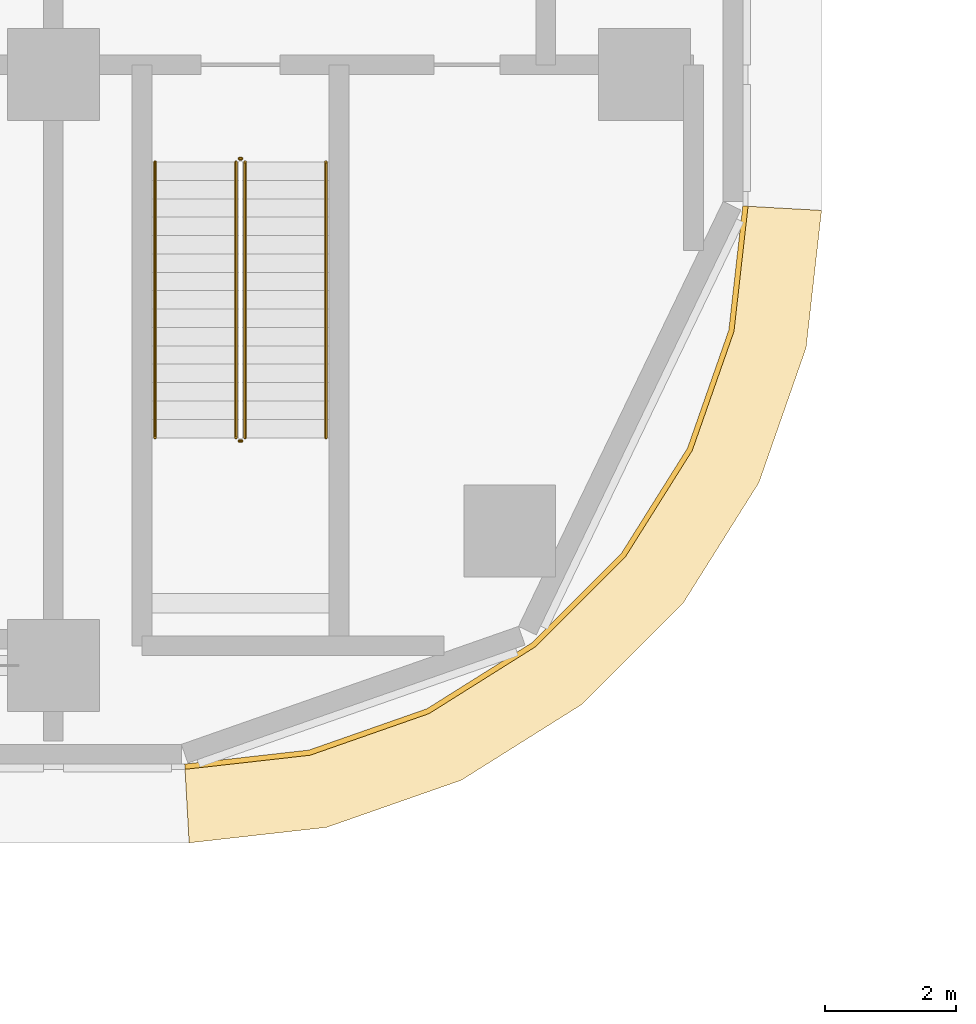
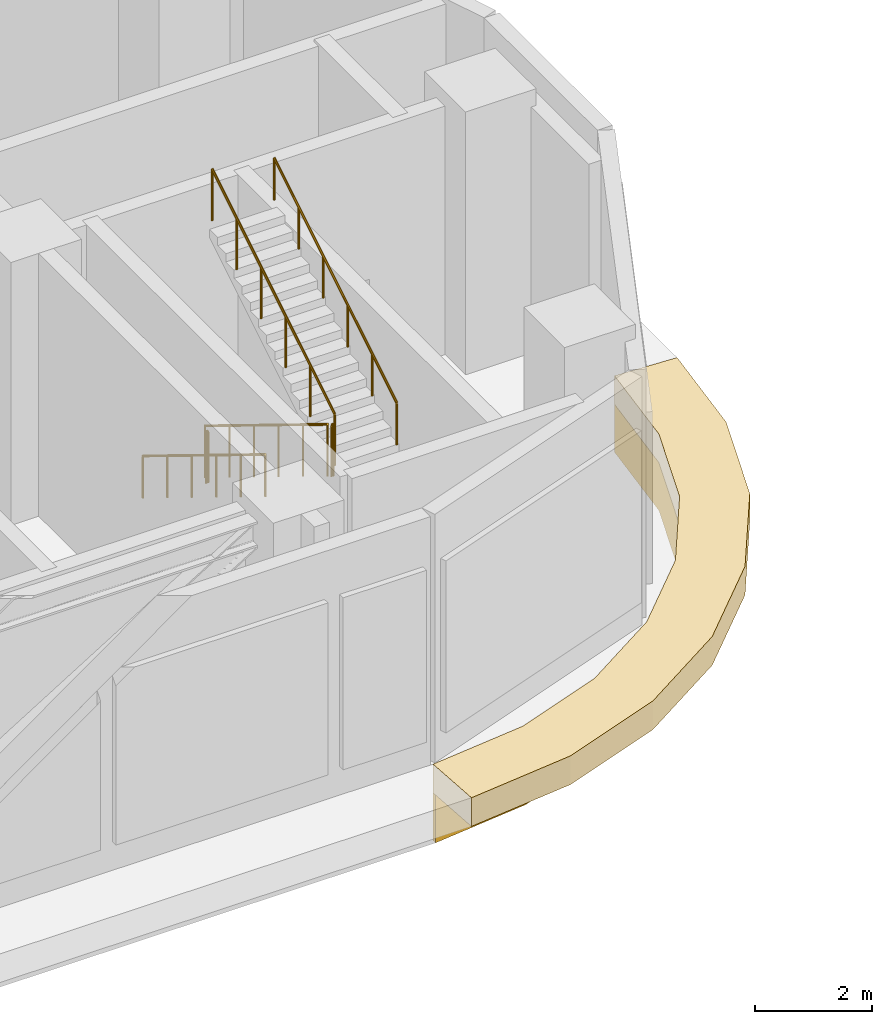
# One storey, part 18 of 23: 6 railings, 2 coverings.
"""IFC4 building model written with IfcOpenShell, lengths in metres."""

from ifc_helpers import new_model, si_unit, direction, frame, origin, origin_2d, place, context, subcontext, project, spatial, polyline, circle, outline, extrude, material, layer, layer_set, type_object, element, save


model = new_model("IFC4")

# Units and contexts
model_context = context("Model", 3, precision=1e-05, world=origin(), true_north=direction((0.0, 1.0)))
body_context = subcontext(model_context, "Body", "Model", "MODEL_VIEW")
ifc_project = project(units=[si_unit("LENGTHUNIT", "METRE"), si_unit("AREAUNIT", "SQUARE_METRE"), si_unit("VOLUMEUNIT", "CUBIC_METRE"), si_unit("PLANEANGLEUNIT", "RADIAN"), si_unit("MASSUNIT", "GRAM", prefix="KILO")], contexts=[model_context])

# Site, building, storey
site_placement = place(None, origin())
site = spatial("IfcSite", under=ifc_project, at=site_placement, CompositionType="ELEMENT")
building_placement = place(site_placement, origin())
building = spatial("IfcBuilding", under=site, at=building_placement, Name="Ogive Portal Towers", CompositionType="ELEMENT")
storey_placement = place(building_placement, frame((0.0, 0.0, 81.60009765625)))
storey = spatial("IfcBuildingStorey", under=building, at=storey_placement, Name="L19", CompositionType="ELEMENT", Elevation=81.60009765625)

# Railings
ifc_material_1 = material(Name="Stainless steel balustrade", Category="steel")
railing_type_1 = type_object("IfcRailingType", Name="INT-GUARD", PredefinedType="GUARDRAIL", material=ifc_material_1)
railing_1_placement = place(storey_placement, frame((88.280029296875, 29.169921875, 0.171875)))
element("IfcRailing", 1, at=railing_1_placement, inside=storey, type_object=railing_type_1, Name="L19 ST-A4 stair guard 1", PredefinedType="GUARDRAIL", context=body_context, shape_type="SweptSolid", body=[
    extrude(circle(Radius=0.02392578125, at=origin_2d()), frame((0.0, 0.0, 1.076171875), z_axis=(0.0, -0.852242915053, 0.523146264196), x_axis=(1.0, 0.0, 0.0)), (0.0, 0.0, 1.0), 4.92822265625),
    extrude(circle(Radius=0.02099609375, at=origin_2d()), origin(), (0.0, 0.0, 1.0), 1.052001953125),
    extrude(circle(Radius=0.02099609375, at=origin_2d()), frame((0.0, -0.840087890625, 0.515625)), (0.0, 0.0, 1.0), 1.052001953125),
    extrude(circle(Radius=0.02099609375, at=origin_2d()), frame((0.0, -1.679931640625, 1.03125)), (0.0, 0.0, 1.0), 1.052001953125),
    extrude(circle(Radius=0.02099609375, at=origin_2d()), frame((0.0, -2.52001953125, 1.546875)), (0.0, 0.0, 1.0), 1.052001953125),
    extrude(circle(Radius=0.02099609375, at=origin_2d()), frame((0.0, -3.35986328125, 2.0625)), (0.0, 0.0, 1.0), 1.052001953125),
    extrude(circle(Radius=0.02099609375, at=origin_2d()), frame((0.0, -4.199951171875, 2.578125)), (0.0, 0.0, 1.0), 1.052001953125),
])
railing_2_placement = place(storey_placement, frame((88.330078125, 24.919921875, 2.75)))
element("IfcRailing", 2, at=railing_2_placement, inside=storey, type_object=railing_type_1, Name="L19 ST-A4 stair guard 2", PredefinedType="GUARDRAIL", context=body_context, shape_type="SweptSolid", body=[
    extrude(circle(Radius=0.02392578125, at=origin_2d()), frame((0.0, 0.0, 1.076171875), z_axis=(1.0, 0.0, 0.0), x_axis=(0.0, 1.0, 0.0)), (0.0, 0.0, 1.0), 0.0400390625),
    extrude(circle(Radius=0.02099609375, at=origin_2d()), origin(), (0.0, 0.0, 1.0), 1.052001953125),
    extrude(circle(Radius=0.02099609375, at=origin_2d()), frame((0.0400390625, 0.0, 0.0)), (0.0, 0.0, 1.0), 1.052001953125),
])
railing_3_placement = place(storey_placement, frame((88.419921875, 24.969970703125, 2.921875)))
element("IfcRailing", 3, at=railing_3_placement, inside=storey, type_object=railing_type_1, Name="L19 ST-A4 stair guard 3", PredefinedType="GUARDRAIL", context=body_context, shape_type="SweptSolid", body=[
    extrude(circle(Radius=0.02392578125, at=origin_2d()), frame((0.0, 0.0, 1.076171875), z_axis=(0.0, 0.852242915053, 0.523146264196), x_axis=(-1.0, 0.0, 0.0)), (0.0, 0.0, 1.0), 4.92822265625),
    extrude(circle(Radius=0.02099609375, at=origin_2d()), origin(), (0.0, 0.0, 1.0), 1.052001953125),
    extrude(circle(Radius=0.02099609375, at=origin_2d()), frame((0.0, 0.840087890625, 0.515625)), (0.0, 0.0, 1.0), 1.052001953125),
    extrude(circle(Radius=0.02099609375, at=origin_2d()), frame((0.0, 1.679931640625, 1.03125)), (0.0, 0.0, 1.0), 1.052001953125),
    extrude(circle(Radius=0.02099609375, at=origin_2d()), frame((0.0, 2.52001953125, 1.546875)), (0.0, 0.0, 1.0), 1.052001953125),
    extrude(circle(Radius=0.02099609375, at=origin_2d()), frame((0.0, 3.35986328125, 2.0625)), (0.0, 0.0, 1.0), 1.052001953125),
    extrude(circle(Radius=0.02099609375, at=origin_2d()), frame((0.0, 4.199951171875, 2.578125)), (0.0, 0.0, 1.0), 1.052001953125),
])
railing_4_placement = place(storey_placement, frame((88.330078125, 29.219970703125, 0.0)))
element("IfcRailing", 4, at=railing_4_placement, inside=storey, type_object=railing_type_1, Name="L19 ST-A4 stair guard 4", PredefinedType="GUARDRAIL", context=body_context, shape_type="SweptSolid", body=[
    extrude(circle(Radius=0.02392578125, at=origin_2d()), frame((0.0, 0.0, 1.076171875), z_axis=(1.0, 0.0, 0.0), x_axis=(0.0, 1.0, 0.0)), (0.0, 0.0, 1.0), 0.0400390625),
    extrude(circle(Radius=0.02099609375, at=origin_2d()), origin(), (0.0, 0.0, 1.0), 1.052001953125),
    extrude(circle(Radius=0.02099609375, at=origin_2d()), frame((0.0400390625, 0.0, 0.0)), (0.0, 0.0, 1.0), 1.052001953125),
])
ifc_material_2 = material(Name="Stainless steel handrail", Category="steel")
railing_type_2 = type_object("IfcRailingType", Name="INT-HANDRAIL", PredefinedType="HANDRAIL", material=ifc_material_2)
railing_5_placement = place(storey_placement, frame((87.050048828125, 29.169921875, 0.171875)))
element("IfcRailing", 5, at=railing_5_placement, inside=storey, type_object=railing_type_2, Name="L19 ST-A4 stair handrail 1", PredefinedType="HANDRAIL", context=body_context, shape_type="SweptSolid", body=[
    extrude(circle(Radius=0.02392578125, at=origin_2d()), frame((0.0, 0.0, 0.8759765625), z_axis=(0.0, -0.852242915053, 0.523146264196), x_axis=(1.0, 0.0, 0.0)), (0.0, 0.0, 1.0), 4.92822265625),
    extrude(circle(Radius=0.02099609375, at=origin_2d()), origin(), (0.0, 0.0, 1.0), 0.851806640625),
    extrude(circle(Radius=0.02099609375, at=origin_2d()), frame((0.0, -0.840087890625, 0.515625)), (0.0, 0.0, 1.0), 0.851806640625),
    extrude(circle(Radius=0.02099609375, at=origin_2d()), frame((0.0, -1.679931640625, 1.03125)), (0.0, 0.0, 1.0), 0.851806640625),
    extrude(circle(Radius=0.02099609375, at=origin_2d()), frame((0.0, -2.52001953125, 1.546875)), (0.0, 0.0, 1.0), 0.851806640625),
    extrude(circle(Radius=0.02099609375, at=origin_2d()), frame((0.0, -3.35986328125, 2.0625)), (0.0, 0.0, 1.0), 0.851806640625),
    extrude(circle(Radius=0.02099609375, at=origin_2d()), frame((0.0, -4.199951171875, 2.578125)), (0.0, 0.0, 1.0), 0.851806640625),
])
railing_6_placement = place(storey_placement, frame((89.64990234375, 24.969970703125, 2.921875)))
element("IfcRailing", 6, at=railing_6_placement, inside=storey, type_object=railing_type_2, Name="L19 ST-A4 stair handrail 2", PredefinedType="HANDRAIL", context=body_context, shape_type="SweptSolid", body=[
    extrude(circle(Radius=0.02392578125, at=origin_2d()), frame((0.0, 0.0, 0.8759765625), z_axis=(0.0, 0.852242915053, 0.523146264196), x_axis=(-1.0, 0.0, 0.0)), (0.0, 0.0, 1.0), 4.92822265625),
    extrude(circle(Radius=0.02099609375, at=origin_2d()), origin(), (0.0, 0.0, 1.0), 0.851806640625),
    extrude(circle(Radius=0.02099609375, at=origin_2d()), frame((0.0, 0.840087890625, 0.515625)), (0.0, 0.0, 1.0), 0.851806640625),
    extrude(circle(Radius=0.02099609375, at=origin_2d()), frame((0.0, 1.679931640625, 1.03125)), (0.0, 0.0, 1.0), 0.851806640625),
    extrude(circle(Radius=0.02099609375, at=origin_2d()), frame((0.0, 2.52001953125, 1.546875)), (0.0, 0.0, 1.0), 0.851806640625),
    extrude(circle(Radius=0.02099609375, at=origin_2d()), frame((0.0, 3.35986328125, 2.0625)), (0.0, 0.0, 1.0), 0.851806640625),
    extrude(circle(Radius=0.02099609375, at=origin_2d()), frame((0.0, 4.199951171875, 2.578125)), (0.0, 0.0, 1.0), 0.851806640625),
])

# Coverings
ifc_material_3 = material(Name="Limestone cladding on lightweight block wall", Category="masonry")
ifc_layer_1 = layer(ifc_material_3, 0.080078125)
ifc_layer_set_1 = layer_set([ifc_layer_1], Name="STONE SPANDREL 80")
covering_type_1 = type_object("IfcCoveringType", Name="STONE SPANDREL 80", PredefinedType="CLADDING", material=ifc_layer_set_1)
covering_1_placement = place(storey_placement, frame((0.0, 0.0, -1.60009765625)))
element("IfcCovering", 7, at=covering_1_placement, inside=storey, type_object=covering_type_1, Name="Stone spandrel A1-F06", PredefinedType="CLADDING", context=body_context, shape_type="SweptSolid", body=[
    extrude(outline(polyline([(87.5, 20.0), (89.391357421875, 20.213134765625), (91.18798828125, 20.841796875), (92.799560546875, 21.8544921875), (94.1455078125, 23.200439453125), (95.158203125, 24.81201171875), (95.786865234375, 26.608642578125), (96.0, 28.5), (96.080078125, 28.49560546875), (95.865478515625, 26.590576171875), (95.230712890625, 24.777099609375), (94.20849609375, 23.150146484375), (92.849853515625, 21.79150390625), (91.222900390625, 20.769287109375), (89.409423828125, 20.134521484375), (87.50439453125, 19.919921875), (87.5, 20.0)])), origin(), (0.0, 0.0, 1.0), 1.0),
])
ifc_layer_2 = layer(ifc_material_3, 0.60009765625)
ifc_layer_set_2 = layer_set([ifc_layer_2], Name="SUNSHADE LIP 600")
covering_type_2 = type_object("IfcCoveringType", Name="SUNSHADE LIP 600", PredefinedType="CLADDING", material=ifc_layer_set_2)
covering_2_placement = place(storey_placement, frame((0.0, 0.0, -0.60009765625)))
element("IfcCovering", 8, at=covering_2_placement, inside=storey, type_object=covering_type_2, Name="Sunshade lip A1-F06", PredefinedType="CLADDING", context=body_context, shape_type="SweptSolid", body=[
    extrude(outline(polyline([(87.5, 20.0), (89.391357421875, 20.213134765625), (91.18798828125, 20.841796875), (92.799560546875, 21.8544921875), (94.1455078125, 23.200439453125), (95.158203125, 24.81201171875), (95.786865234375, 26.608642578125), (96.0, 28.5), (97.199951171875, 28.4326171875), (96.964111328125, 26.33984375), (96.246337890625, 24.2880859375), (95.089599609375, 22.447509765625), (93.552490234375, 20.910400390625), (91.7119140625, 19.753662109375), (89.66015625, 19.035888671875), (87.5673828125, 18.800048828125), (87.5, 20.0)])), origin(), (0.0, 0.0, 1.0), 0.60009765625),
])

save(model, "model.ifc")
